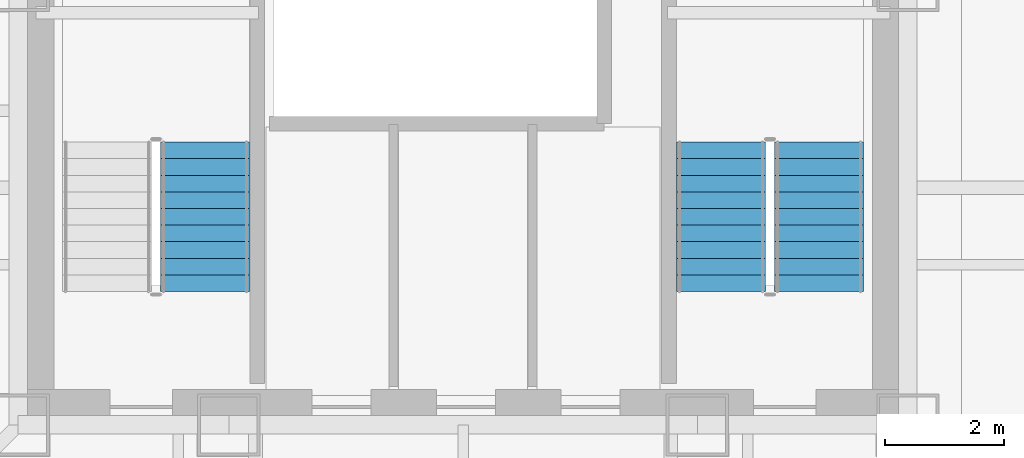
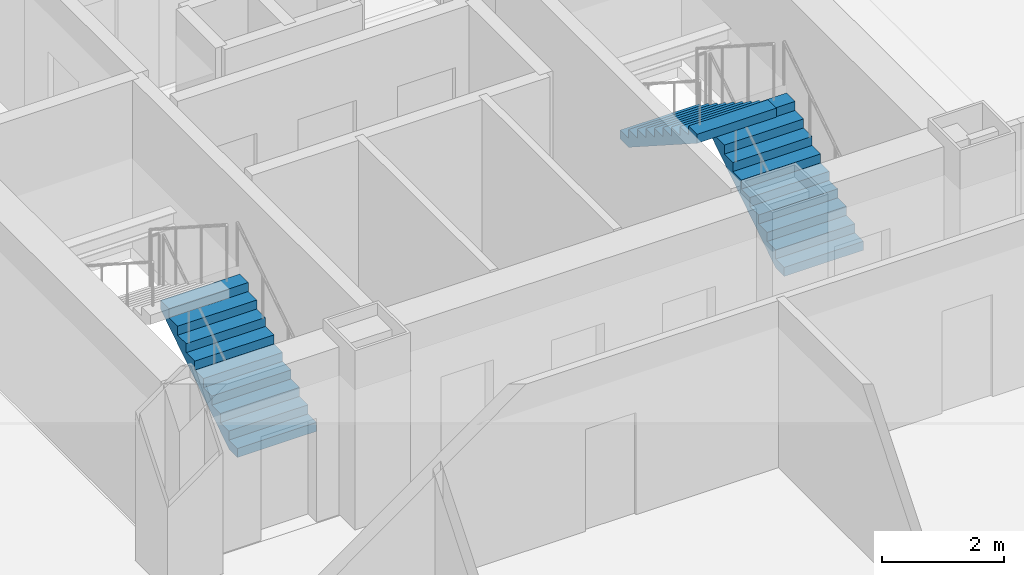
# One storey, part 12 of 15: 3 stair flights, 2 elements without a shape of their own.
"""IFC4 building model written with IfcOpenShell, lengths in metres."""

from ifc_helpers import new_model, si_unit, direction, frame, origin, place, context, subcontext, project, spatial, polyline, outline, extrude, material, type_object, element, aggregate, save


model = new_model("IFC4")

# Units and contexts
model_context = context("Model", 3, precision=1e-05, world=origin(), true_north=direction((0.0, 1.0)))
body_context = subcontext(model_context, "Body", "Model", "MODEL_VIEW")
ifc_project = project(units=[si_unit("LENGTHUNIT", "METRE"), si_unit("AREAUNIT", "SQUARE_METRE"), si_unit("VOLUMEUNIT", "CUBIC_METRE"), si_unit("PLANEANGLEUNIT", "RADIAN"), si_unit("MASSUNIT", "GRAM", prefix="KILO")], contexts=[model_context])

# Site, building, storey
site_placement = place(None, origin())
site = spatial("IfcSite", under=ifc_project, at=site_placement, CompositionType="ELEMENT")
building_placement = place(site_placement, origin())
building = spatial("IfcBuilding", under=site, at=building_placement, Name="Trevonay Congress Spire", CompositionType="ELEMENT")
storey_placement = place(building_placement, frame((0.0, 0.0, 115.60009765625)))
storey = spatial("IfcBuildingStorey", under=building, at=storey_placement, Name="L29", CompositionType="ELEMENT", Elevation=115.60009765625)

# Stair, stair flight
ifc_material = material(Name="Concrete C40/50", Category="concrete")
stair_type_1 = type_object("IfcStairType", Name="STR-ST-1", PredefinedType="HALF_TURN_STAIR", material=ifc_material)
stair_1_placement = place(storey_placement, origin())
stair_1 = element("IfcStair", 1, at=stair_1_placement, inside=storey, type_object=stair_type_1, Name="L29 Protected Exit Stair ST-1", PredefinedType="HALF_TURN_STAIR")
stair_flight_type_1 = type_object("IfcStairFlightType", Name="SFL-ST-1", PredefinedType="STRAIGHT", material=ifc_material)
stair_flight_1_placement = place(storey_placement, frame((-4.35009765625, -5.25, 0.0), z_axis=(0.0, 0.0, 1.0), x_axis=(0.0, 1.0, 0.0)))
stair_flight_1 = element("IfcStairFlight", 2, at=stair_flight_1_placement, type_object=stair_flight_type_1, Name="ST-1 flight 1", NumberOfRisers=10, NumberOfTreads=9, PredefinedType="STRAIGHT", RiserHeight=0.18, TreadLength=0.28, context=body_context, shape_type="SweptSolid", body=[
    extrude(outline(polyline([(0.0, 0.0), (0.0, 0.179931640625), (0.280029296875, 0.179931640625), (0.280029296875, 0.360107421875), (0.56005859375, 0.360107421875), (0.56005859375, 0.5400390625), (0.840087890625, 0.5400390625), (0.840087890625, 0.719970703125), (1.1201171875, 0.719970703125), (1.1201171875, 0.89990234375), (1.39990234375, 0.89990234375), (1.39990234375, 1.080078125), (1.679931640625, 1.080078125), (1.679931640625, 1.260009765625), (1.9599609375, 1.260009765625), (1.9599609375, 1.43994140625), (2.239990234375, 1.43994140625), (2.239990234375, 1.6201171875), (2.52001953125, 1.6201171875), (2.52001953125, 1.800048828125), (2.52001953125, 1.44189453125), (0.277099609375, 0.0), (0.0, 0.0)])), frame((0.0, 0.75, 0.0), z_axis=(0.0, -1.0, 0.0), x_axis=(1.0, 0.0, 0.0)), (0.0, 0.0, 1.0), 1.5),
])
aggregate(stair_1, [stair_flight_1])

# Stair, stair flights
stair_type_2 = type_object("IfcStairType", Name="STR-ST-2", PredefinedType="HALF_TURN_STAIR", material=ifc_material)
stair_2_placement = place(storey_placement, origin())
stair_2 = element("IfcStair", 3, at=stair_2_placement, inside=storey, type_object=stair_type_2, Name="L29 Protected Exit Stair ST-2", PredefinedType="HALF_TURN_STAIR")
stair_flight_type_2 = type_object("IfcStairFlightType", Name="SFL-ST-2", PredefinedType="STRAIGHT", material=ifc_material)
stair_flight_2_placement = place(storey_placement, frame((6.0, -5.25, 0.0), z_axis=(0.0, 0.0, 1.0), x_axis=(0.0, 1.0, 0.0)))
stair_flight_2 = element("IfcStairFlight", 4, at=stair_flight_2_placement, type_object=stair_flight_type_2, Name="ST-2 flight 1", NumberOfRisers=10, NumberOfTreads=9, PredefinedType="STRAIGHT", RiserHeight=0.18, TreadLength=0.28, context=body_context, shape_type="SweptSolid", body=[
    extrude(outline(polyline([(0.0, 0.0), (0.0, 0.179931640625), (0.280029296875, 0.179931640625), (0.280029296875, 0.360107421875), (0.56005859375, 0.360107421875), (0.56005859375, 0.5400390625), (0.840087890625, 0.5400390625), (0.840087890625, 0.719970703125), (1.1201171875, 0.719970703125), (1.1201171875, 0.89990234375), (1.39990234375, 0.89990234375), (1.39990234375, 1.080078125), (1.679931640625, 1.080078125), (1.679931640625, 1.260009765625), (1.9599609375, 1.260009765625), (1.9599609375, 1.43994140625), (2.239990234375, 1.43994140625), (2.239990234375, 1.6201171875), (2.52001953125, 1.6201171875), (2.52001953125, 1.800048828125), (2.52001953125, 1.44189453125), (0.277099609375, 0.0), (0.0, 0.0)])), frame((0.0, 0.75, 0.0), z_axis=(0.0, -1.0, 0.0), x_axis=(1.0, 0.0, 0.0)), (0.0, 0.0, 1.0), 1.5),
])
stair_flight_3_placement = place(storey_placement, frame((4.35009765625, -2.72998046875, 1.7998046875), z_axis=(0.0, 0.0, 1.0), x_axis=(0.0, -1.0, 0.0)))
stair_flight_3 = element("IfcStairFlight", 5, at=stair_flight_3_placement, type_object=stair_flight_type_2, Name="ST-2 flight 2", NumberOfRisers=10, NumberOfTreads=9, PredefinedType="STRAIGHT", RiserHeight=0.18, TreadLength=0.28, context=body_context, shape_type="SweptSolid", body=[
    extrude(outline(polyline([(0.0, 0.0), (0.0, 0.179931640625), (0.280029296875, 0.179931640625), (0.280029296875, 0.360107421875), (0.56005859375, 0.360107421875), (0.56005859375, 0.5400390625), (0.840087890625, 0.5400390625), (0.840087890625, 0.719970703125), (1.1201171875, 0.719970703125), (1.1201171875, 0.89990234375), (1.39990234375, 0.89990234375), (1.39990234375, 1.080078125), (1.679931640625, 1.080078125), (1.679931640625, 1.260009765625), (1.9599609375, 1.260009765625), (1.9599609375, 1.43994140625), (2.239990234375, 1.43994140625), (2.239990234375, 1.6201171875), (2.52001953125, 1.6201171875), (2.52001953125, 1.800048828125), (2.52001953125, 1.44189453125), (0.277099609375, 0.0), (0.0, 0.0)])), frame((0.0, 0.75, 0.0), z_axis=(0.0, -1.0, 0.0), x_axis=(1.0, 0.0, 0.0)), (0.0, 0.0, 1.0), 1.5),
])
aggregate(stair_2, [stair_flight_2, stair_flight_3])

save(model, "model.ifc")
